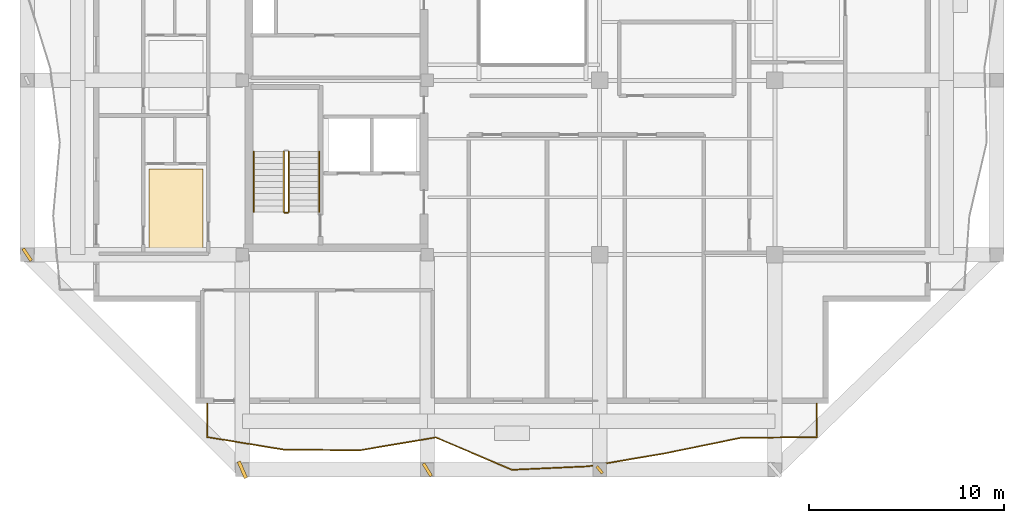
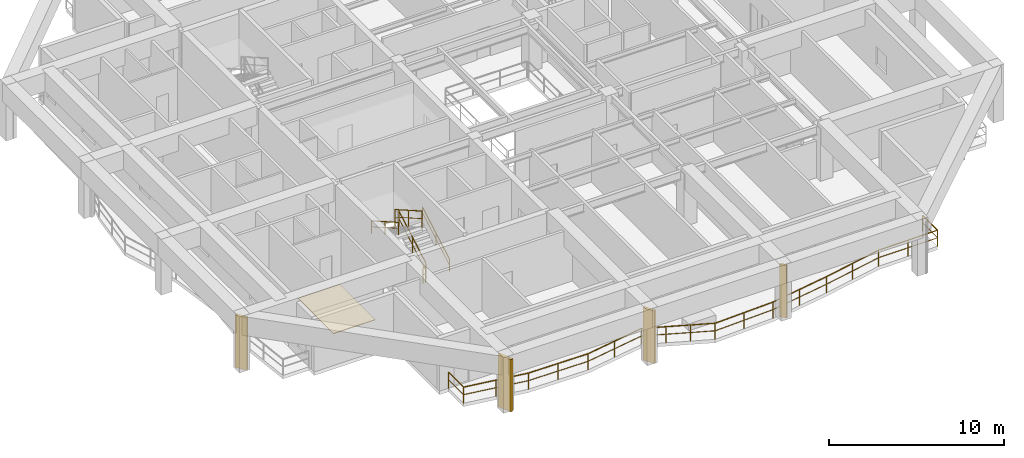
# One storey, part 7 of 11: 6 railings, 4 shading devices, 1 covering.
"""IFC4 building model written with IfcOpenShell, lengths in metres."""

from ifc_helpers import new_model, si_unit, direction, frame, origin, origin_2d, place, context, subcontext, project, spatial, polyline, rectangle, outline, extrude, material, layer, layer_set, type_object, element, save


model = new_model("IFC4")

# Units and contexts
model_context = context("Model", 3, precision=1e-05, world=origin(), true_north=direction((0.0, 1.0)))
body_context = subcontext(model_context, "Body", "Model", "MODEL_VIEW")
ifc_project = project(units=[si_unit("LENGTHUNIT", "METRE"), si_unit("AREAUNIT", "SQUARE_METRE"), si_unit("VOLUMEUNIT", "CUBIC_METRE"), si_unit("PLANEANGLEUNIT", "RADIAN"), si_unit("MASSUNIT", "GRAM", prefix="KILO")], contexts=[model_context])

# Site, building, storey
site_placement = place(None, origin())
site = spatial("IfcSite", under=ifc_project, at=site_placement, CompositionType="ELEMENT")
building_placement = place(site_placement, origin())
building = spatial("IfcBuilding", under=site, at=building_placement, Name="Kundavana Baori Tower", CompositionType="ELEMENT")
storey_placement = place(building_placement, frame((0.0, 0.0, 268.699951171875)))
storey = spatial("IfcBuildingStorey", under=building, at=storey_placement, Name="L66", CompositionType="ELEMENT", Elevation=268.699951171875)

# Covering
ifc_material_1 = material(Name="Honed Kota Stone and Terrazzo Flooring", Category="masonry")
ifc_layer = layer(ifc_material_1, 0.0400390625, Name="COV-FLR-TERR-40")
ifc_layer_set = layer_set([ifc_layer], Name="Honed Kota Stone and Terrazzo Flooring")
covering_type = type_object("IfcCoveringType", Name="COV-FLR-TERR-40", PredefinedType="FLOORING", material=ifc_layer_set)
covering_placement = place(storey_placement, origin())
element("IfcCovering", 1, at=covering_placement, inside=storey, type_object=covering_type, Name="L66 Room Finished Stone Flooring 1", PredefinedType="FLOORING", context=body_context, shape_type="SweptSolid", body=[
    extrude(outline(polyline([(10.64990234375, 15.580078125), (13.419921875, 15.580078125), (13.419921875, 19.639892578125), (10.64990234375, 19.639892578125), (10.64990234375, 15.580078125)])), origin(), (0.0, 0.0, 1.0), 0.0400390625),
])

# Railings
ifc_material_2 = material(Name="Architectural Patinated Bronze Metalwork")
railing_type_1 = type_object("IfcRailingType", Name="RL-BAL-1150", PredefinedType="BALUSTRADE", material=ifc_material_2)
railing_1_placement = place(storey_placement, frame((44.949951171875, 7.60009765625, 0.0)))
element("IfcRailing", 2, at=railing_1_placement, inside=storey, type_object=railing_type_1, Name="L66 Loggia Balcony Balustrade S", PredefinedType="BALUSTRADE", context=body_context, shape_type="SweptSolid", body=[
    extrude(rectangle(XDim=0.048095703125, YDim=0.048095703125, at=origin_2d()), frame((0.0, 0.0, 1.1259765625), z_axis=(0.0, -1.0, 0.0), x_axis=(1.0, 0.0, 0.0)), (0.0, 0.0, 1.0), 1.72021484375),
    extrude(rectangle(XDim=0.03125, YDim=0.03125, at=origin_2d()), frame((0.0, 0.0, 0.597900390625), z_axis=(0.0, -1.0, 0.0), x_axis=(1.0, 0.0, 0.0)), (0.0, 0.0, 1.0), 1.72021484375),
    extrude(rectangle(XDim=0.048095703125, YDim=0.048095703125, at=origin_2d()), frame((0.0, -1.72021484375, 1.1259765625), z_axis=(-0.999948260308, -0.010172350149, 0.0), x_axis=(0.010172350149, -0.999948260308, 0.0)), (0.0, 0.0, 1.0), 3.912109375),
    extrude(rectangle(XDim=0.03125, YDim=0.03125, at=origin_2d()), frame((0.0, -1.72021484375, 0.597900390625), z_axis=(-0.999948260308, -0.010172350149, 0.0), x_axis=(0.010172350149, -0.999948260308, 0.0)), (0.0, 0.0, 1.0), 3.912109375),
    extrude(rectangle(XDim=0.048095703125, YDim=0.048095703125, at=origin_2d()), frame((-3.911865234375, -1.760009765625, 1.1259765625), z_axis=(-0.979636312736, -0.200780215082, 0.0), x_axis=(0.200780215082, -0.979636312736, 0.0)), (0.0, 0.0, 1.0), 3.994384765625),
    extrude(rectangle(XDim=0.03125, YDim=0.03125, at=origin_2d()), frame((-3.911865234375, -1.760009765625, 0.597900390625), z_axis=(-0.979636312736, -0.200780215082, 0.0), x_axis=(0.200780215082, -0.979636312736, 0.0)), (0.0, 0.0, 1.0), 3.994384765625),
    extrude(rectangle(XDim=0.048095703125, YDim=0.048095703125, at=origin_2d()), frame((-7.824951171875, -2.56201171875, 1.1259765625), z_axis=(-0.986018861941, -0.166633741771, 0.0), x_axis=(0.166633741771, -0.986018861941, 0.0)), (0.0, 0.0, 1.0), 3.967529296875),
    extrude(rectangle(XDim=0.03125, YDim=0.03125, at=origin_2d()), frame((-7.824951171875, -2.56201171875, 0.597900390625), z_axis=(-0.986018861941, -0.166633741771, 0.0), x_axis=(0.166633741771, -0.986018861941, 0.0)), (0.0, 0.0, 1.0), 3.967529296875),
    extrude(rectangle(XDim=0.048095703125, YDim=0.048095703125, at=origin_2d()), frame((-11.737060546875, -3.22314453125, 1.1259765625), z_axis=(-0.998978412332, -0.045189951266, 0.0), x_axis=(0.045189951266, -0.998978412332, 0.0)), (0.0, 0.0, 1.0), 3.916748046875),
    extrude(rectangle(XDim=0.03125, YDim=0.03125, at=origin_2d()), frame((-11.737060546875, -3.22314453125, 0.597900390625), z_axis=(-0.998978412332, -0.045189951266, 0.0), x_axis=(0.045189951266, -0.998978412332, 0.0)), (0.0, 0.0, 1.0), 3.916748046875),
    extrude(rectangle(XDim=0.048095703125, YDim=0.048095703125, at=origin_2d()), frame((-15.64990234375, -3.400146484375, 1.1259765625), z_axis=(-0.920376399955, 0.391033607769, 0.0), x_axis=(-0.391033607769, -0.920376399955, 0.0)), (0.0, 0.0, 1.0), 4.25048828125),
    extrude(rectangle(XDim=0.03125, YDim=0.03125, at=origin_2d()), frame((-15.64990234375, -3.400146484375, 0.597900390625), z_axis=(-0.920376399955, 0.391033607769, 0.0), x_axis=(-0.391033607769, -0.920376399955, 0.0)), (0.0, 0.0, 1.0), 4.25048828125),
    extrude(rectangle(XDim=0.048095703125, YDim=0.048095703125, at=origin_2d()), frame((-19.56201171875, -1.738037109375, 1.1259765625), z_axis=(-0.986023986339, -0.166603416423, 0.0), x_axis=(0.166603416423, -0.986023986339, 0.0)), (0.0, 0.0, 1.0), 3.96826171875),
    extrude(rectangle(XDim=0.03125, YDim=0.03125, at=origin_2d()), frame((-19.56201171875, -1.738037109375, 0.597900390625), z_axis=(-0.986023986339, -0.166603416423, 0.0), x_axis=(0.166603416423, -0.986023986339, 0.0)), (0.0, 0.0, 1.0), 3.96826171875),
    extrude(rectangle(XDim=0.048095703125, YDim=0.048095703125, at=origin_2d()), frame((-23.474853515625, -2.399169921875, 1.1259765625), z_axis=(-0.999955035557, 0.009482977627, 0.0), x_axis=(-0.009482977627, -0.999955035557, 0.0)), (0.0, 0.0, 1.0), 3.913330078125),
    extrude(rectangle(XDim=0.03125, YDim=0.03125, at=origin_2d()), frame((-23.474853515625, -2.399169921875, 0.597900390625), z_axis=(-0.999955035557, 0.009482977627, 0.0), x_axis=(-0.009482977627, -0.999955035557, 0.0)), (0.0, 0.0, 1.0), 3.913330078125),
    extrude(rectangle(XDim=0.048095703125, YDim=0.048095703125, at=origin_2d()), frame((-27.387939453125, -2.362060546875, 1.1259765625), z_axis=(-0.986806866027, 0.161901850398, 0.0), x_axis=(-0.161901850398, -0.986806866027, 0.0)), (0.0, 0.0, 1.0), 3.96435546875),
    extrude(rectangle(XDim=0.03125, YDim=0.03125, at=origin_2d()), frame((-27.387939453125, -2.362060546875, 0.597900390625), z_axis=(-0.986806866027, 0.161901850398, 0.0), x_axis=(-0.161901850398, -0.986806866027, 0.0)), (0.0, 0.0, 1.0), 3.96435546875),
    extrude(rectangle(XDim=0.048095703125, YDim=0.048095703125, at=origin_2d()), frame((-31.300048828125, -1.72021484375, 1.1259765625), z_axis=(0.0, 1.0, 0.0), x_axis=(-1.0, 0.0, 0.0)), (0.0, 0.0, 1.0), 1.72021484375),
    extrude(rectangle(XDim=0.03125, YDim=0.03125, at=origin_2d()), frame((-31.300048828125, -1.72021484375, 0.597900390625), z_axis=(0.0, 1.0, 0.0), x_axis=(-1.0, 0.0, 0.0)), (0.0, 0.0, 1.0), 1.72021484375),
    extrude(rectangle(XDim=0.0419921875, YDim=0.0419921875, at=origin_2d()), origin(), (0.0, 0.0, 1.0), 1.101806640625),
    extrude(rectangle(XDim=0.0419921875, YDim=0.0419921875, at=origin_2d()), frame((0.0, -1.72021484375, 0.0)), (0.0, 0.0, 1.0), 1.101806640625),
    extrude(rectangle(XDim=0.0419921875, YDim=0.0419921875, at=origin_2d()), frame((-1.9560546875, -1.740234375, 0.0)), (0.0, 0.0, 1.0), 1.101806640625),
    extrude(rectangle(XDim=0.0419921875, YDim=0.0419921875, at=origin_2d()), frame((-3.911865234375, -1.760009765625, 0.0)), (0.0, 0.0, 1.0), 1.101806640625),
    extrude(rectangle(XDim=0.0419921875, YDim=0.0419921875, at=origin_2d()), frame((-5.868408203125, -2.1611328125, 0.0)), (0.0, 0.0, 1.0), 1.101806640625),
    extrude(rectangle(XDim=0.0419921875, YDim=0.0419921875, at=origin_2d()), frame((-7.824951171875, -2.56201171875, 0.0)), (0.0, 0.0, 1.0), 1.101806640625),
    extrude(rectangle(XDim=0.0419921875, YDim=0.0419921875, at=origin_2d()), frame((-9.781005859375, -2.892578125, 0.0)), (0.0, 0.0, 1.0), 1.101806640625),
    extrude(rectangle(XDim=0.0419921875, YDim=0.0419921875, at=origin_2d()), frame((-11.737060546875, -3.22314453125, 0.0)), (0.0, 0.0, 1.0), 1.101806640625),
    extrude(rectangle(XDim=0.0419921875, YDim=0.0419921875, at=origin_2d()), frame((-13.693359375, -3.3115234375, 0.0)), (0.0, 0.0, 1.0), 1.101806640625),
    extrude(rectangle(XDim=0.0419921875, YDim=0.0419921875, at=origin_2d()), frame((-15.64990234375, -3.400146484375, 0.0)), (0.0, 0.0, 1.0), 1.101806640625),
    extrude(rectangle(XDim=0.0419921875, YDim=0.0419921875, at=origin_2d()), frame((-16.953857421875, -2.84619140625, 0.0)), (0.0, 0.0, 1.0), 1.101806640625),
    extrude(rectangle(XDim=0.0419921875, YDim=0.0419921875, at=origin_2d()), frame((-18.258056640625, -2.2919921875, 0.0)), (0.0, 0.0, 1.0), 1.101806640625),
    extrude(rectangle(XDim=0.0419921875, YDim=0.0419921875, at=origin_2d()), frame((-19.56201171875, -1.738037109375, 0.0)), (0.0, 0.0, 1.0), 1.101806640625),
    extrude(rectangle(XDim=0.0419921875, YDim=0.0419921875, at=origin_2d()), frame((-21.5185546875, -2.068603515625, 0.0)), (0.0, 0.0, 1.0), 1.101806640625),
    extrude(rectangle(XDim=0.0419921875, YDim=0.0419921875, at=origin_2d()), frame((-23.474853515625, -2.399169921875, 0.0)), (0.0, 0.0, 1.0), 1.101806640625),
    extrude(rectangle(XDim=0.0419921875, YDim=0.0419921875, at=origin_2d()), frame((-25.431396484375, -2.380615234375, 0.0)), (0.0, 0.0, 1.0), 1.101806640625),
    extrude(rectangle(XDim=0.0419921875, YDim=0.0419921875, at=origin_2d()), frame((-27.387939453125, -2.362060546875, 0.0)), (0.0, 0.0, 1.0), 1.101806640625),
    extrude(rectangle(XDim=0.0419921875, YDim=0.0419921875, at=origin_2d()), frame((-29.343994140625, -2.041015625, 0.0)), (0.0, 0.0, 1.0), 1.101806640625),
    extrude(rectangle(XDim=0.0419921875, YDim=0.0419921875, at=origin_2d()), frame((-31.300048828125, -1.72021484375, 0.0)), (0.0, 0.0, 1.0), 1.101806640625),
    extrude(rectangle(XDim=0.0419921875, YDim=0.0419921875, at=origin_2d()), frame((-31.300048828125, 0.0, 0.0)), (0.0, 0.0, 1.0), 1.101806640625),
])
ifc_material_3 = material(Name="Architectural Patinated Bronze Metalwork")
railing_type_2 = type_object("IfcRailingType", Name="RL-GRD-1150", PredefinedType="GUARDRAIL", material=ifc_material_3)
railing_2_placement = place(storey_placement, frame((17.840087890625, 17.449951171875, 0.17724609375)))
element("IfcRailing", 3, at=railing_2_placement, inside=storey, type_object=railing_type_2, Name="L66 ST1 stair guard 1", PredefinedType="GUARDRAIL", context=body_context, shape_type="SweptSolid", body=[
    extrude(rectangle(XDim=0.048095703125, YDim=0.048095703125, at=origin_2d()), frame((0.0, 0.0, 1.1259765625), z_axis=(0.0, 0.868095856688, 0.496396599103), x_axis=(-1.0, 0.0, 0.0)), (0.0, 0.0, 1.0), 3.571044921875),
    extrude(rectangle(XDim=0.03125, YDim=0.03125, at=origin_2d()), frame((0.0, 0.0, 0.597900390625), z_axis=(0.0, 0.868095856688, 0.496396599103), x_axis=(-1.0, 0.0, 0.0)), (0.0, 0.0, 1.0), 3.571044921875),
    extrude(rectangle(XDim=0.0419921875, YDim=0.0419921875, at=origin_2d()), origin(), (0.0, 0.0, 1.0), 1.101806640625),
    extrude(rectangle(XDim=0.0419921875, YDim=0.0419921875, at=origin_2d()), frame((0.0, 1.550048828125, 0.88623046875)), (0.0, 0.0, 1.0), 1.101806640625),
    extrude(rectangle(XDim=0.0419921875, YDim=0.0419921875, at=origin_2d()), frame((0.0, 3.10009765625, 1.772705078125)), (0.0, 0.0, 1.0), 1.101806640625),
])
railing_3_placement = place(storey_placement, frame((17.580078125, 20.550048828125, 2.12744140625)))
element("IfcRailing", 4, at=railing_3_placement, inside=storey, type_object=railing_type_2, Name="L66 ST1 stair guard 3", PredefinedType="GUARDRAIL", context=body_context, shape_type="SweptSolid", body=[
    extrude(rectangle(XDim=0.048095703125, YDim=0.048095703125, at=origin_2d()), frame((0.0, 0.0, 1.1259765625), z_axis=(0.0, -0.868095856688, 0.496396599103), x_axis=(1.0, 0.0, 0.0)), (0.0, 0.0, 1.0), 3.571044921875),
    extrude(rectangle(XDim=0.03125, YDim=0.03125, at=origin_2d()), frame((0.0, 0.0, 0.597900390625), z_axis=(0.0, -0.868095856688, 0.496396599103), x_axis=(1.0, 0.0, 0.0)), (0.0, 0.0, 1.0), 3.571044921875),
    extrude(rectangle(XDim=0.0419921875, YDim=0.0419921875, at=origin_2d()), origin(), (0.0, 0.0, 1.0), 1.101806640625),
    extrude(rectangle(XDim=0.0419921875, YDim=0.0419921875, at=origin_2d()), frame((0.0, -1.550048828125, 0.88623046875)), (0.0, 0.0, 1.0), 1.101806640625),
    extrude(rectangle(XDim=0.0419921875, YDim=0.0419921875, at=origin_2d()), frame((0.0, -3.10009765625, 1.772705078125)), (0.0, 0.0, 1.0), 1.101806640625),
])
railing_4_placement = place(storey_placement, frame((17.7900390625, 17.39990234375, 0.0)))
element("IfcRailing", 5, at=railing_4_placement, inside=storey, type_object=railing_type_2, Name="L66 ST1 stair guard 4", PredefinedType="GUARDRAIL", context=body_context, shape_type="SweptSolid", body=[
    extrude(rectangle(XDim=0.048095703125, YDim=0.048095703125, at=origin_2d()), frame((0.0, 0.0, 1.1259765625), z_axis=(-1.0, 0.0, 0.0), x_axis=(0.0, -1.0, 0.0)), (0.0, 0.0, 1.0), 0.16015625),
    extrude(rectangle(XDim=0.03125, YDim=0.03125, at=origin_2d()), frame((0.0, 0.0, 0.597900390625), z_axis=(-1.0, 0.0, 0.0), x_axis=(0.0, -1.0, 0.0)), (0.0, 0.0, 1.0), 0.16015625),
    extrude(rectangle(XDim=0.0419921875, YDim=0.0419921875, at=origin_2d()), origin(), (0.0, 0.0, 1.0), 1.101806640625),
    extrude(rectangle(XDim=0.0419921875, YDim=0.0419921875, at=origin_2d()), frame((-0.16015625, 0.0, 0.0)), (0.0, 0.0, 1.0), 1.101806640625),
])
ifc_material_4 = material(Name="Architectural Patinated Bronze Metalwork")
railing_type_3 = type_object("IfcRailingType", Name="RL-HND-920", PredefinedType="HANDRAIL", material=ifc_material_4)
railing_5_placement = place(storey_placement, frame((19.389892578125, 17.449951171875, 0.17724609375)))
element("IfcRailing", 6, at=railing_5_placement, inside=storey, type_object=railing_type_3, Name="L66 ST1 stair handrail 1", PredefinedType="HANDRAIL", context=body_context, shape_type="SweptSolid", body=[
    extrude(rectangle(XDim=0.048095703125, YDim=0.048095703125, at=origin_2d()), frame((0.0, 0.0, 0.8759765625), z_axis=(0.0, 0.868095856688, 0.496396599103), x_axis=(-1.0, 0.0, 0.0)), (0.0, 0.0, 1.0), 3.571044921875),
    extrude(rectangle(XDim=0.03125, YDim=0.03125, at=origin_2d()), frame((0.0, 0.0, 0.468017578125), z_axis=(0.0, 0.868095856688, 0.496396599103), x_axis=(-1.0, 0.0, 0.0)), (0.0, 0.0, 1.0), 3.571044921875),
    extrude(rectangle(XDim=0.0419921875, YDim=0.0419921875, at=origin_2d()), origin(), (0.0, 0.0, 1.0), 0.851806640625),
    extrude(rectangle(XDim=0.0419921875, YDim=0.0419921875, at=origin_2d()), frame((0.0, 1.550048828125, 0.88623046875)), (0.0, 0.0, 1.0), 0.851806640625),
    extrude(rectangle(XDim=0.0419921875, YDim=0.0419921875, at=origin_2d()), frame((0.0, 3.10009765625, 1.772705078125)), (0.0, 0.0, 1.0), 0.851806640625),
])
railing_6_placement = place(storey_placement, frame((16.030029296875, 20.550048828125, 2.12744140625)))
element("IfcRailing", 7, at=railing_6_placement, inside=storey, type_object=railing_type_3, Name="L66 ST1 stair handrail 2", PredefinedType="HANDRAIL", context=body_context, shape_type="SweptSolid", body=[
    extrude(rectangle(XDim=0.048095703125, YDim=0.048095703125, at=origin_2d()), frame((0.0, 0.0, 0.8759765625), z_axis=(0.0, -0.868095856688, 0.496396599103), x_axis=(1.0, 0.0, 0.0)), (0.0, 0.0, 1.0), 3.571044921875),
    extrude(rectangle(XDim=0.03125, YDim=0.03125, at=origin_2d()), frame((0.0, 0.0, 0.468017578125), z_axis=(0.0, -0.868095856688, 0.496396599103), x_axis=(1.0, 0.0, 0.0)), (0.0, 0.0, 1.0), 3.571044921875),
    extrude(rectangle(XDim=0.0419921875, YDim=0.0419921875, at=origin_2d()), origin(), (0.0, 0.0, 1.0), 0.851806640625),
    extrude(rectangle(XDim=0.0419921875, YDim=0.0419921875, at=origin_2d()), frame((0.0, -1.550048828125, 0.88623046875)), (0.0, 0.0, 1.0), 0.851806640625),
    extrude(rectangle(XDim=0.0419921875, YDim=0.0419921875, at=origin_2d()), frame((0.0, -3.10009765625, 1.772705078125)), (0.0, 0.0, 1.0), 0.851806640625),
])

# Shading devices
ifc_material_5 = material(Name="Red-Buff Dholpur Sandstone Cladding on Concrete C40/50", Category="masonry")
shading_device_type_1 = type_object("IfcShadingDeviceType", Name="SHD-FIN-750", PredefinedType="JALOUSIE", material=ifc_material_5)
for number, where, z_axis, x_axis, name in (
    (8, (24.949951171875, 4.199951171875, 0.0), (0.0, 0.0, 1.0), (0.851086129097, 0.525026095407, 0.0), "L66 Sweeping Dholpur Sandstone Facade Fin 2"),
    (9, (4.39990234375, 15.25, 0.0), (0.0, 0.0, 1.0), (0.831663492238, 0.555279961531, 0.0), "L66 Sweeping Dholpur Sandstone Facade Fin 5"),
):
    element("IfcShadingDevice", number, at=place(storey_placement, frame(where, z_axis=z_axis, x_axis=x_axis)), inside=storey, type_object=shading_device_type_1, Name=name, PredefinedType="JALOUSIE", context=body_context, shape_type="SweptSolid", body=[
        extrude(rectangle(XDim=0.159912109375, YDim=0.75, at=origin_2d()), origin(), (0.0, 0.0, 1.0), 3.659912109375),
    ])
ifc_material_6 = material(Name="Red-Buff Dholpur Sandstone Cladding on Concrete C40/50", Category="masonry")
shading_device_type_2 = type_object("IfcShadingDeviceType", Name="SHD-FIN-920", PredefinedType="JALOUSIE", material=ifc_material_6)
shading_device_1_placement = place(storey_placement, frame((15.449951171875, 4.199951171875, 0.0), z_axis=(0.0, 0.0, 1.0), x_axis=(0.917685296323, 0.397308062984, 0.0)))
element("IfcShadingDevice", 10, at=shading_device_1_placement, inside=storey, type_object=shading_device_type_2, Name="L66 Sweeping Dholpur Sandstone Facade Fin 1", PredefinedType="JALOUSIE", context=body_context, shape_type="SweptSolid", body=[
    extrude(rectangle(XDim=0.179931640625, YDim=0.919921875, at=origin_2d()), origin(), (0.0, 0.0, 1.0), 3.659912109375),
])
ifc_material_7 = material(Name="Architectural Patinated Bronze Metalwork")
shading_device_type_3 = type_object("IfcShadingDeviceType", Name="SHD-LOUV-450", PredefinedType="SHUTTER", material=ifc_material_7)
shading_device_2_placement = place(storey_placement, frame((33.800048828125, 4.199951171875, 0.0), z_axis=(0.0, 0.0, 1.0), x_axis=(0.763457963096, 0.645857521893, 0.0)))
element("IfcShadingDevice", 11, at=shading_device_2_placement, inside=storey, type_object=shading_device_type_3, Name="L66 Sweeping Dholpur Sandstone Facade Fin 3", PredefinedType="SHUTTER", context=body_context, shape_type="SweptSolid", body=[
    extrude(rectangle(XDim=0.139892578125, YDim=0.449951171875, at=origin_2d()), origin(), (0.0, 0.0, 1.0), 3.659912109375),
])

save(model, "model.ifc")
